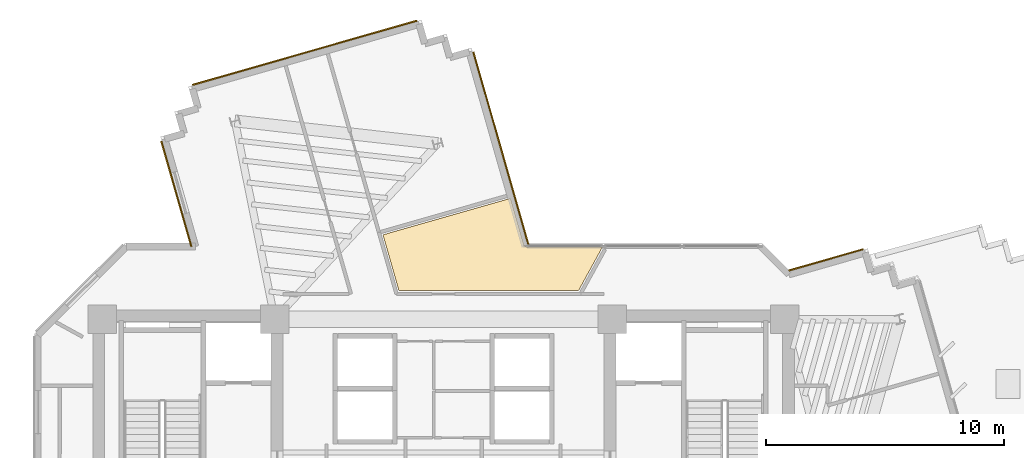
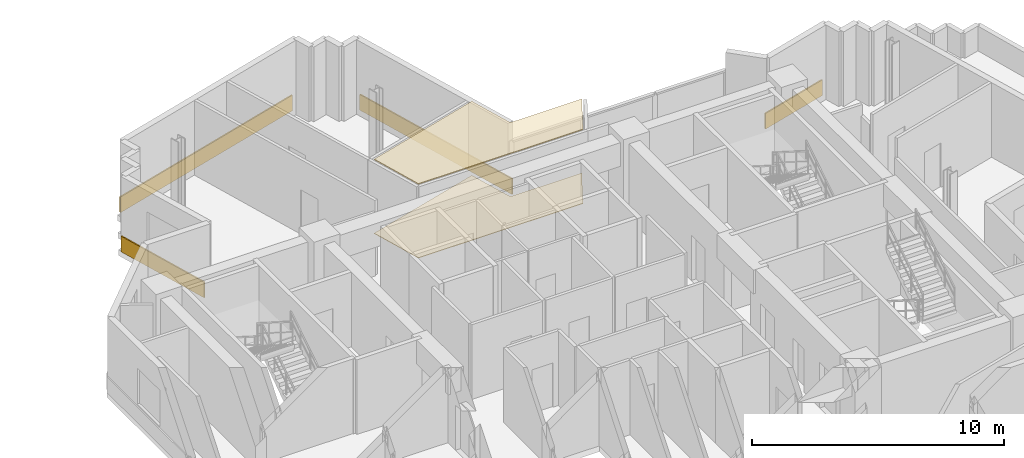
# One storey, part 14 of 14: 6 coverings.
"""IFC4 building model written with IfcOpenShell, lengths in metres."""

from ifc_helpers import new_model, si_unit, direction, frame, origin, origin_2d, place, context, subcontext, project, spatial, polyline, rectangle, outline, extrude, source, transform, mapped, material, layer, layer_set, type_object, element, save


model = new_model("IFC4")

# Units and contexts
model_context = context("Model", 3, precision=1e-05, world=origin(), true_north=direction((0.0, 1.0)))
body_context = subcontext(model_context, "Body", "Model", "MODEL_VIEW")
ifc_project = project(units=[si_unit("LENGTHUNIT", "METRE"), si_unit("AREAUNIT", "SQUARE_METRE"), si_unit("VOLUMEUNIT", "CUBIC_METRE"), si_unit("PLANEANGLEUNIT", "RADIAN"), si_unit("MASSUNIT", "GRAM", prefix="KILO")], contexts=[model_context])

# Site, building, storey
site_placement = place(None, origin())
site = spatial("IfcSite", under=ifc_project, at=site_placement, CompositionType="ELEMENT")
building_placement = place(site_placement, origin())
building = spatial("IfcBuilding", under=site, at=building_placement, Name="Zahravan Cultural Tower", CompositionType="ELEMENT")
storey_placement = place(building_placement, frame((0.0, 0.0, 201.89990234375)))
storey = spatial("IfcBuildingStorey", under=building, at=storey_placement, Name="L47", CompositionType="ELEMENT", Elevation=201.89990234375)

# Coverings
ifc_material_1 = material(Name="Acoustic mineral fibreboard")
ifc_layer_1 = layer(ifc_material_1, 0.0400390625)
ifc_layer_set_1 = layer_set([ifc_layer_1], Name="Acoustic mineral fibreboard")
covering_type_1 = type_object("IfcCoveringType", Name="COV-CEIL-AC20", PredefinedType="CEILING", material=ifc_layer_set_1)
covering_1_placement = place(storey_placement, frame((0.0, 0.0, 3.580078125)))
element("IfcCovering", 1, at=covering_1_placement, inside=storey, type_object=covering_type_1, Name="L47 Acoustic Suspended Ceiling", PredefinedType="CEILING", context=body_context, shape_type="SweptSolid", body=[
    extrude(outline(polyline([(42.684814453125, 39.239990234375), (39.516357421875, 39.239990234375), (39.450927734375, 39.256591796875), (39.400390625, 39.298828125), (39.374755859375, 39.348388671875), (38.820556640625, 41.2861328125), (33.45556640625, 39.751953125), (34.128173828125, 37.39990234375), (41.67431640625, 37.39990234375), (42.684814453125, 39.239990234375)])), origin(), (0.0, 0.0, 1.0), 0.0400390625),
])
ifc_material_2 = material(Name="Terrazzo flooring")
ifc_layer_2 = layer(ifc_material_2, 0.02490234375)
ifc_layer_set_2 = layer_set([ifc_layer_2], Name="Terrazzo flooring")
covering_type_2 = type_object("IfcCoveringType", Name="COV-FLR-TZ25", PredefinedType="FLOORING", material=ifc_layer_set_2)
covering_2_placement = place(storey_placement, origin())
element("IfcCovering", 2, at=covering_2_placement, inside=storey, type_object=covering_type_2, Name="L47 Polished Terrazzo Flooring", PredefinedType="FLOORING", context=body_context, shape_type="SweptSolid", body=[
    extrude(outline(polyline([(42.684814453125, 39.239990234375), (39.516357421875, 39.239990234375), (39.450927734375, 39.256591796875), (39.400390625, 39.298828125), (39.374755859375, 39.348388671875), (38.820556640625, 41.2861328125), (33.45556640625, 39.751953125), (34.128173828125, 37.39990234375), (41.67431640625, 37.39990234375), (42.684814453125, 39.239990234375)])), origin(), (0.0, 0.0, 1.0), 0.025146484375),
])
ifc_material_3 = material(Name="Terracotta ceramic cladding", Category="masonry")
ifc_layer_3 = layer(ifc_material_3, 0.06005859375)
ifc_layer_set_3 = layer_set([ifc_layer_3], Name="Terracotta ceramic cladding")
covering_type_3 = type_object("IfcCoveringType", Name="COV-CLAD-TC60", PredefinedType="CLADDING", material=ifc_layer_set_3)
shared_shape_1 = source(origin(), body_context, "Body", "SweptSolid", [
    extrude(rectangle(XDim=9.820068359375, YDim=0.06005859375, at=origin_2d()), origin(), (0.0, 0.0, 1.0), 0.760009765625),
])
covering_3_placement = place(storey_placement, frame((30.163818359375, 47.406982421875, 0.02001953125), z_axis=(0.0, 0.0, 1.0), x_axis=(0.961453892845, 0.274966201438, 0.0)))
element("IfcCovering", 3, at=covering_3_placement, inside=storey, type_object=covering_type_3, Name="L47 Terracotta Spandrel Cladding 46", PredefinedType="CLADDING", context=body_context, shape_type="MappedRepresentation", body=[
    mapped(shared_shape_1, transform((0.0, 0.0, 0.0), x_axis=(1.0, 0.0, 0.0), y_axis=(0.0, 1.0, 0.0), z_axis=(0.0, 0.0, 1.0), scale=1.0)),
])
shared_shape_2 = source(origin(), body_context, "Body", "SweptSolid", [
    extrude(rectangle(XDim=3.251220703125, YDim=0.06005859375, at=origin_2d()), origin(), (0.0, 0.0, 1.0), 0.760009765625),
])
covering_4_placement = place(storey_placement, frame((52.08740234375, 38.699462890625, 0.02001953125), z_axis=(0.0, 0.0, 1.0), x_axis=(0.961449093633, 0.274982981932, 0.0)))
element("IfcCovering", 4, at=covering_4_placement, inside=storey, type_object=covering_type_3, Name="L47 Terracotta Spandrel Cladding 01", PredefinedType="CLADDING", context=body_context, shape_type="MappedRepresentation", body=[
    mapped(shared_shape_2, transform((0.0, 0.0, 0.0), x_axis=(1.0, 0.0, 0.0), y_axis=(0.0, 1.0, 0.0), z_axis=(0.0, 0.0, 1.0), scale=1.0)),
])
shared_shape_3 = source(origin(), body_context, "Body", "SweptSolid", [
    extrude(rectangle(XDim=4.603759765625, YDim=0.06005859375, at=origin_2d()), origin(), (0.0, 0.0, 1.0), 0.760009765625),
])
covering_5_placement = place(storey_placement, frame((24.761474609375, 41.475830078125, 0.02001953125), z_axis=(0.0, 0.0, 1.0), x_axis=(-0.274966201438, 0.961453892845, 0.0)))
element("IfcCovering", 5, at=covering_5_placement, inside=storey, type_object=covering_type_3, Name="L47 Terracotta Spandrel Cladding 41", PredefinedType="CLADDING", context=body_context, shape_type="MappedRepresentation", body=[
    mapped(shared_shape_3, transform((0.0, 0.0, 0.0), x_axis=(1.0, 0.0, 0.0), y_axis=(0.0, 1.0, 0.0), z_axis=(0.0, 0.0, 1.0), scale=1.0)),
])
shared_shape_4 = source(origin(), body_context, "Body", "SweptSolid", [
    extrude(rectangle(XDim=8.4130859375, YDim=0.06005859375, at=origin_2d()), origin(), (0.0, 0.0, 1.0), 0.760009765625),
])
covering_6_placement = place(storey_placement, frame((38.408935546875, 43.39794921875, 0.02001953125), z_axis=(0.0, 0.0, 1.0), x_axis=(0.274966201438, -0.961453892845, 0.0)))
element("IfcCovering", 6, at=covering_6_placement, inside=storey, type_object=covering_type_3, Name="L47 Terracotta Spandrel Cladding 51", PredefinedType="CLADDING", context=body_context, shape_type="MappedRepresentation", body=[
    mapped(shared_shape_4, transform((0.0, 0.0, 0.0), x_axis=(1.0, 0.0, 0.0), y_axis=(0.0, 1.0, 0.0), z_axis=(0.0, 0.0, 1.0), scale=1.0)),
])

save(model, "model.ifc")
